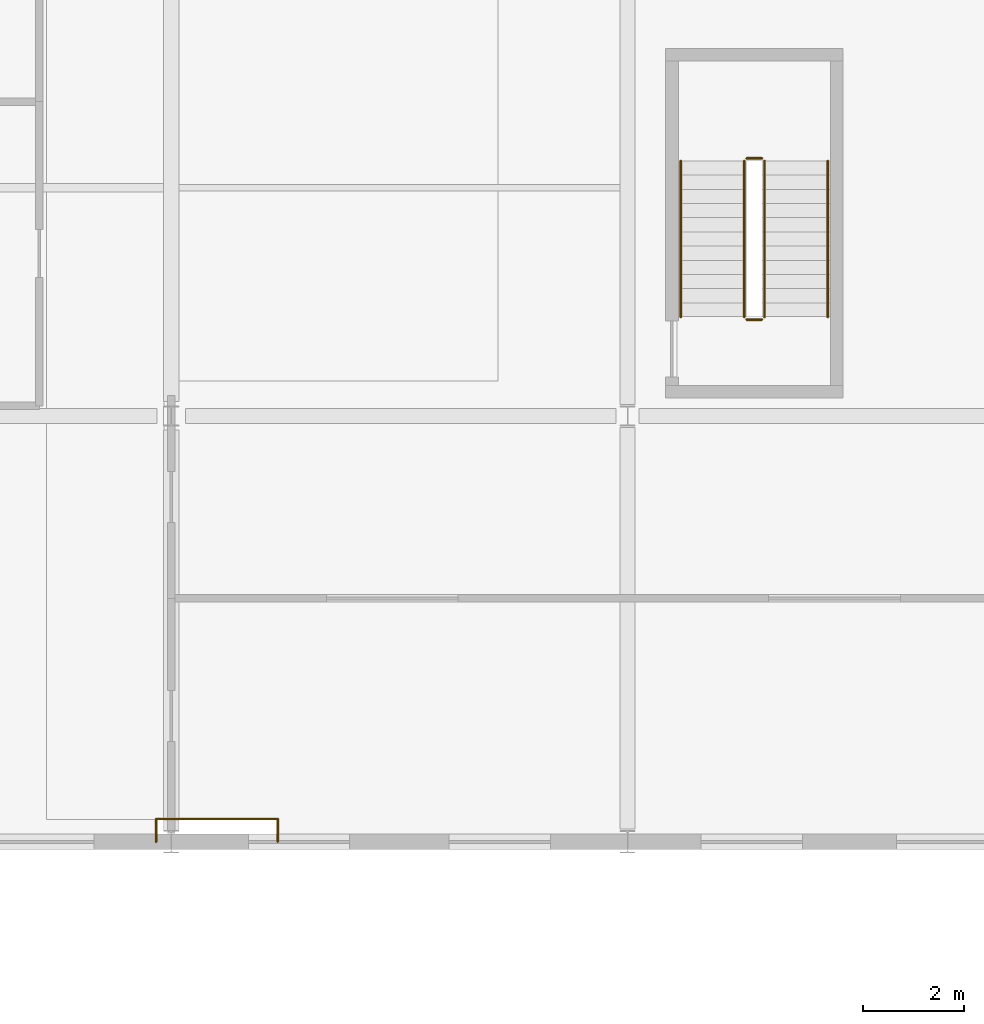
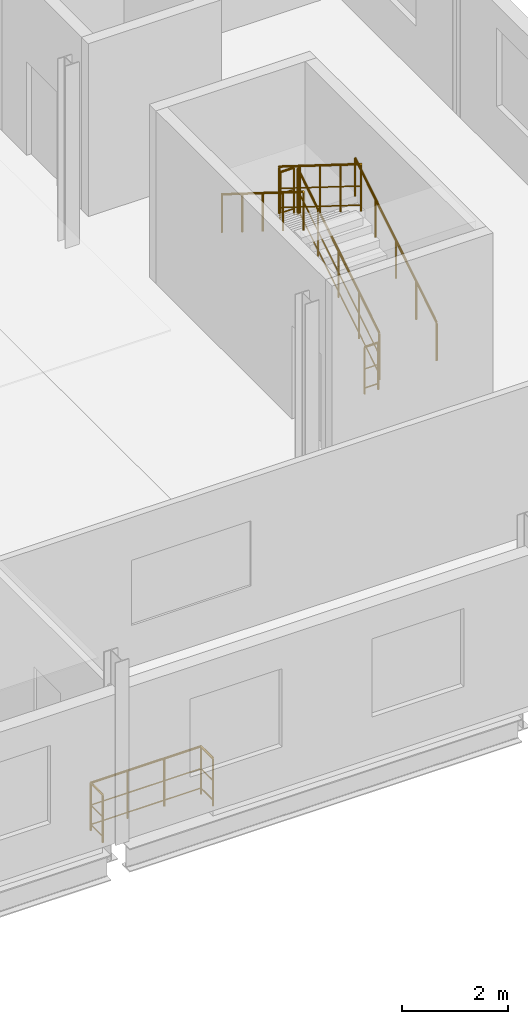
# One storey, part 117 of 121: 9 railings.
"""IFC4 building model written with IfcOpenShell, lengths in metres."""

from ifc_helpers import new_model, si_unit, direction, frame, origin, origin_2d, place, context, subcontext, project, spatial, circle, extrude, material, type_object, element, save


model = new_model("IFC4")

# Units and contexts
model_context = context("Model", 3, precision=1e-05, world=origin(), true_north=direction((0.0, 1.0)))
body_context = subcontext(model_context, "Body", "Model", "MODEL_VIEW")
ifc_project = project(units=[si_unit("LENGTHUNIT", "METRE"), si_unit("AREAUNIT", "SQUARE_METRE"), si_unit("VOLUMEUNIT", "CUBIC_METRE"), si_unit("PLANEANGLEUNIT", "RADIAN"), si_unit("MASSUNIT", "GRAM", prefix="KILO")], contexts=[model_context])

# Site, building, storey
site_placement = place(None, origin())
site = spatial("IfcSite", under=ifc_project, at=site_placement, CompositionType="ELEMENT")
building_placement = place(site_placement, origin())
building = spatial("IfcBuilding", under=site, at=building_placement, Name="Vinh Khe Railworks Police Headquarters", CompositionType="ELEMENT")
storey_placement = place(building_placement, frame((0.0, 0.0, 4.800048828125)))
storey = spatial("IfcBuildingStorey", under=building, at=storey_placement, Name="L01", CompositionType="ELEMENT", Elevation=4.800048828125)

# Railings
ifc_material_1 = material(Name="Painted tubular steel", Category="steel")
railing_type_1 = type_object("IfcRailingType", Name="RL-GUARD-1100", PredefinedType="GUARDRAIL", material=ifc_material_1)
railing_1_placement = place(storey_placement, frame((107.699951171875, 106.35009765625, 0.175048828125)))
element("IfcRailing", 1, at=railing_1_placement, inside=storey, type_object=railing_type_1, Name="L01 ST-04 stair guard 1", PredefinedType="GUARDRAIL", context=body_context, shape_type="SweptSolid", body=[
    extrude(circle(Radius=0.02392578125, at=origin_2d()), frame((0.0, 0.0, 1.076171875), z_axis=(0.0, 0.848009633417, 0.529980812513), x_axis=(-1.0, 0.0, 0.0)), (0.0, 0.0, 1.0), 3.6318359375),
    extrude(circle(Radius=0.01416015625, at=origin_2d()), frame((0.0, 0.0, 0.132080078125), z_axis=(0.0, 0.848009633417, 0.529980812513), x_axis=(-1.0, 0.0, 0.0)), (0.0, 0.0, 1.0), 3.6318359375),
    extrude(circle(Radius=0.01416015625, at=origin_2d()), frame((0.0, 0.0, 0.572021484375), z_axis=(0.0, 0.848009633417, 0.529980812513), x_axis=(-1.0, 0.0, 0.0)), (0.0, 0.0, 1.0), 3.6318359375),
    extrude(circle(Radius=0.02099609375, at=origin_2d()), origin(), (0.0, 0.0, 1.0), 1.052001953125),
    extrude(circle(Radius=0.02099609375, at=origin_2d()), frame((0.0, 0.77001953125, 0.481201171875)), (0.0, 0.0, 1.0), 1.052001953125),
    extrude(circle(Radius=0.02099609375, at=origin_2d()), frame((0.0, 1.5400390625, 0.96240234375)), (0.0, 0.0, 1.0), 1.052001953125),
    extrude(circle(Radius=0.02099609375, at=origin_2d()), frame((0.0, 2.309814453125, 1.443603515625)), (0.0, 0.0, 1.0), 1.052001953125),
    extrude(circle(Radius=0.02099609375, at=origin_2d()), frame((0.0, 3.079833984375, 1.9248046875)), (0.0, 0.0, 1.0), 1.052001953125),
])
railing_2_placement = place(storey_placement, frame((107.64990234375, 109.47998046875, 2.099853515625)))
element("IfcRailing", 2, at=railing_2_placement, inside=storey, type_object=railing_type_1, Name="L01 ST-04 stair guard 2", PredefinedType="GUARDRAIL", context=body_context, shape_type="SweptSolid", body=[
    extrude(circle(Radius=0.02392578125, at=origin_2d()), frame((0.0, 0.0, 1.076171875), z_axis=(-1.0, 0.0, 0.0), x_axis=(0.0, -1.0, 0.0)), (0.0, 0.0, 1.0), 0.2998046875),
    extrude(circle(Radius=0.01416015625, at=origin_2d()), frame((0.0, 0.0, 0.132080078125), z_axis=(-1.0, 0.0, 0.0), x_axis=(0.0, -1.0, 0.0)), (0.0, 0.0, 1.0), 0.2998046875),
    extrude(circle(Radius=0.01416015625, at=origin_2d()), frame((0.0, 0.0, 0.572021484375), z_axis=(-1.0, 0.0, 0.0), x_axis=(0.0, -1.0, 0.0)), (0.0, 0.0, 1.0), 0.2998046875),
    extrude(circle(Radius=0.02099609375, at=origin_2d()), origin(), (0.0, 0.0, 1.0), 1.052001953125),
    extrude(circle(Radius=0.02099609375, at=origin_2d()), frame((-0.2998046875, 0.0, 0.0)), (0.0, 0.0, 1.0), 1.052001953125),
])
railing_3_placement = place(storey_placement, frame((107.300048828125, 109.429931640625, 2.27490234375)))
element("IfcRailing", 3, at=railing_3_placement, inside=storey, type_object=railing_type_1, Name="L01 ST-04 stair guard 3", PredefinedType="GUARDRAIL", context=body_context, shape_type="SweptSolid", body=[
    extrude(circle(Radius=0.02392578125, at=origin_2d()), frame((0.0, 0.0, 1.076171875), z_axis=(0.0, -0.847979421464, 0.530029150871), x_axis=(1.0, 0.0, 0.0)), (0.0, 0.0, 1.0), 3.632080078125),
    extrude(circle(Radius=0.01416015625, at=origin_2d()), frame((0.0, 0.0, 0.132080078125), z_axis=(0.0, -0.847979421464, 0.530029150871), x_axis=(1.0, 0.0, 0.0)), (0.0, 0.0, 1.0), 3.632080078125),
    extrude(circle(Radius=0.01416015625, at=origin_2d()), frame((0.0, 0.0, 0.572021484375), z_axis=(0.0, -0.847979421464, 0.530029150871), x_axis=(1.0, 0.0, 0.0)), (0.0, 0.0, 1.0), 3.632080078125),
    extrude(circle(Radius=0.02099609375, at=origin_2d()), origin(), (0.0, 0.0, 1.0), 1.052001953125),
    extrude(circle(Radius=0.02099609375, at=origin_2d()), frame((0.0, -0.77001953125, 0.481201171875)), (0.0, 0.0, 1.0), 1.052001953125),
    extrude(circle(Radius=0.02099609375, at=origin_2d()), frame((0.0, -1.5400390625, 0.96240234375)), (0.0, 0.0, 1.0), 1.052001953125),
    extrude(circle(Radius=0.02099609375, at=origin_2d()), frame((0.0, -2.309814453125, 1.44384765625)), (0.0, 0.0, 1.0), 1.052001953125),
    extrude(circle(Radius=0.02099609375, at=origin_2d()), frame((0.0, -3.079833984375, 1.925048828125)), (0.0, 0.0, 1.0), 1.052001953125),
])
railing_4_placement = place(storey_placement, frame((107.64990234375, 106.300048828125, 0.0)))
element("IfcRailing", 4, at=railing_4_placement, inside=storey, type_object=railing_type_1, Name="L01 ST-04 stair guard 4", PredefinedType="GUARDRAIL", context=body_context, shape_type="SweptSolid", body=[
    extrude(circle(Radius=0.02392578125, at=origin_2d()), frame((0.0, 0.0, 1.076171875), z_axis=(-1.0, 0.0, 0.0), x_axis=(0.0, -1.0, 0.0)), (0.0, 0.0, 1.0), 0.2998046875),
    extrude(circle(Radius=0.01416015625, at=origin_2d()), frame((0.0, 0.0, 0.132080078125), z_axis=(-1.0, 0.0, 0.0), x_axis=(0.0, -1.0, 0.0)), (0.0, 0.0, 1.0), 0.2998046875),
    extrude(circle(Radius=0.01416015625, at=origin_2d()), frame((0.0, 0.0, 0.572021484375), z_axis=(-1.0, 0.0, 0.0), x_axis=(0.0, -1.0, 0.0)), (0.0, 0.0, 1.0), 0.2998046875),
    extrude(circle(Radius=0.02099609375, at=origin_2d()), origin(), (0.0, 0.0, 1.0), 1.052001953125),
    extrude(circle(Radius=0.02099609375, at=origin_2d()), frame((-0.2998046875, 0.0, 0.0)), (0.0, 0.0, 1.0), 1.052001953125),
])
railing_5_placement = place(storey_placement, frame((95.699951171875, 96.0, 0.0)))
element("IfcRailing", 5, at=railing_5_placement, inside=storey, type_object=railing_type_1, Name="Slab Corner Notch Guard L01-47", PredefinedType="GUARDRAIL", context=body_context, shape_type="SweptSolid", body=[
    extrude(circle(Radius=0.02392578125, at=origin_2d()), frame((0.0, 0.0, 1.09619140625), z_axis=(0.0, 1.0, 0.0), x_axis=(-1.0, 0.0, 0.0)), (0.0, 0.0, 1.0), 0.449951171875),
    extrude(circle(Radius=0.01416015625, at=origin_2d()), frame((0.0, 0.0, 0.134521484375), z_axis=(0.0, 1.0, 0.0), x_axis=(-1.0, 0.0, 0.0)), (0.0, 0.0, 1.0), 0.449951171875),
    extrude(circle(Radius=0.01416015625, at=origin_2d()), frame((0.0, 0.0, 0.58251953125), z_axis=(0.0, 1.0, 0.0), x_axis=(-1.0, 0.0, 0.0)), (0.0, 0.0, 1.0), 0.449951171875),
    extrude(circle(Radius=0.02099609375, at=origin_2d()), origin(), (0.0, 0.0, 1.0), 1.072021484375),
    extrude(circle(Radius=0.02099609375, at=origin_2d()), frame((0.0, 0.449951171875, 0.0)), (0.0, 0.0, 1.0), 1.072021484375),
])
railing_6_placement = place(storey_placement, frame((95.699951171875, 96.449951171875, 0.0)))
element("IfcRailing", 6, at=railing_6_placement, inside=storey, type_object=railing_type_1, Name="Slab Corner Notch Guard L01-48", PredefinedType="GUARDRAIL", context=body_context, shape_type="SweptSolid", body=[
    extrude(circle(Radius=0.02392578125, at=origin_2d()), frame((0.0, 0.0, 1.09619140625), z_axis=(1.0, 0.0, 0.0), x_axis=(0.0, 1.0, 0.0)), (0.0, 0.0, 1.0), 2.400146484375),
    extrude(circle(Radius=0.01416015625, at=origin_2d()), frame((0.0, 0.0, 0.134521484375), z_axis=(1.0, 0.0, 0.0), x_axis=(0.0, 1.0, 0.0)), (0.0, 0.0, 1.0), 2.400146484375),
    extrude(circle(Radius=0.01416015625, at=origin_2d()), frame((0.0, 0.0, 0.58251953125), z_axis=(1.0, 0.0, 0.0), x_axis=(0.0, 1.0, 0.0)), (0.0, 0.0, 1.0), 2.400146484375),
    extrude(circle(Radius=0.02099609375, at=origin_2d()), origin(), (0.0, 0.0, 1.0), 1.072021484375),
    extrude(circle(Radius=0.02099609375, at=origin_2d()), frame((0.800048828125, 0.0, 0.0)), (0.0, 0.0, 1.0), 1.072021484375),
    extrude(circle(Radius=0.02099609375, at=origin_2d()), frame((1.60009765625, 0.0, 0.0)), (0.0, 0.0, 1.0), 1.072021484375),
    extrude(circle(Radius=0.02099609375, at=origin_2d()), frame((2.400146484375, 0.0, 0.0)), (0.0, 0.0, 1.0), 1.072021484375),
])
railing_7_placement = place(storey_placement, frame((98.10009765625, 96.449951171875, 0.0)))
element("IfcRailing", 7, at=railing_7_placement, inside=storey, type_object=railing_type_1, Name="Slab Corner Notch Guard L01-49", PredefinedType="GUARDRAIL", context=body_context, shape_type="SweptSolid", body=[
    extrude(circle(Radius=0.02392578125, at=origin_2d()), frame((0.0, 0.0, 1.09619140625), z_axis=(0.0, -1.0, 0.0), x_axis=(1.0, 0.0, 0.0)), (0.0, 0.0, 1.0), 0.449951171875),
    extrude(circle(Radius=0.01416015625, at=origin_2d()), frame((0.0, 0.0, 0.134521484375), z_axis=(0.0, -1.0, 0.0), x_axis=(1.0, 0.0, 0.0)), (0.0, 0.0, 1.0), 0.449951171875),
    extrude(circle(Radius=0.01416015625, at=origin_2d()), frame((0.0, 0.0, 0.58251953125), z_axis=(0.0, -1.0, 0.0), x_axis=(1.0, 0.0, 0.0)), (0.0, 0.0, 1.0), 0.449951171875),
    extrude(circle(Radius=0.02099609375, at=origin_2d()), origin(), (0.0, 0.0, 1.0), 1.072021484375),
    extrude(circle(Radius=0.02099609375, at=origin_2d()), frame((0.0, -0.449951171875, 0.0)), (0.0, 0.0, 1.0), 1.072021484375),
])
ifc_material_2 = material(Name="Brushed stainless steel", Category="steel")
railing_type_2 = type_object("IfcRailingType", Name="RL-HAND-900", PredefinedType="HANDRAIL", material=ifc_material_2)
railing_8_placement = place(storey_placement, frame((108.949951171875, 106.35009765625, 0.175048828125)))
element("IfcRailing", 8, at=railing_8_placement, inside=storey, type_object=railing_type_2, Name="L01 ST-04 stair handrail 1", PredefinedType="HANDRAIL", context=body_context, shape_type="SweptSolid", body=[
    extrude(circle(Radius=0.02392578125, at=origin_2d()), frame((0.0, 0.0, 0.8759765625), z_axis=(0.0, 0.848009633417, 0.529980812513), x_axis=(-1.0, 0.0, 0.0)), (0.0, 0.0, 1.0), 3.6318359375),
    extrude(circle(Radius=0.02099609375, at=origin_2d()), origin(), (0.0, 0.0, 1.0), 0.851806640625),
    extrude(circle(Radius=0.02099609375, at=origin_2d()), frame((0.0, 0.77001953125, 0.481201171875)), (0.0, 0.0, 1.0), 0.851806640625),
    extrude(circle(Radius=0.02099609375, at=origin_2d()), frame((0.0, 1.5400390625, 0.96240234375)), (0.0, 0.0, 1.0), 0.851806640625),
    extrude(circle(Radius=0.02099609375, at=origin_2d()), frame((0.0, 2.309814453125, 1.443603515625)), (0.0, 0.0, 1.0), 0.851806640625),
    extrude(circle(Radius=0.02099609375, at=origin_2d()), frame((0.0, 3.079833984375, 1.9248046875)), (0.0, 0.0, 1.0), 0.851806640625),
])
railing_9_placement = place(storey_placement, frame((106.050048828125, 109.429931640625, 2.27490234375)))
element("IfcRailing", 9, at=railing_9_placement, inside=storey, type_object=railing_type_2, Name="L01 ST-04 stair handrail 2", PredefinedType="HANDRAIL", context=body_context, shape_type="SweptSolid", body=[
    extrude(circle(Radius=0.02392578125, at=origin_2d()), frame((0.0, 0.0, 0.8759765625), z_axis=(0.0, -0.847979421464, 0.530029150871), x_axis=(1.0, 0.0, 0.0)), (0.0, 0.0, 1.0), 3.632080078125),
    extrude(circle(Radius=0.02099609375, at=origin_2d()), origin(), (0.0, 0.0, 1.0), 0.851806640625),
    extrude(circle(Radius=0.02099609375, at=origin_2d()), frame((0.0, -0.77001953125, 0.481201171875)), (0.0, 0.0, 1.0), 0.851806640625),
    extrude(circle(Radius=0.02099609375, at=origin_2d()), frame((0.0, -1.5400390625, 0.96240234375)), (0.0, 0.0, 1.0), 0.851806640625),
    extrude(circle(Radius=0.02099609375, at=origin_2d()), frame((0.0, -2.309814453125, 1.44384765625)), (0.0, 0.0, 1.0), 0.851806640625),
    extrude(circle(Radius=0.02099609375, at=origin_2d()), frame((0.0, -3.079833984375, 1.925048828125)), (0.0, 0.0, 1.0), 0.851806640625),
])

save(model, "model.ifc")
